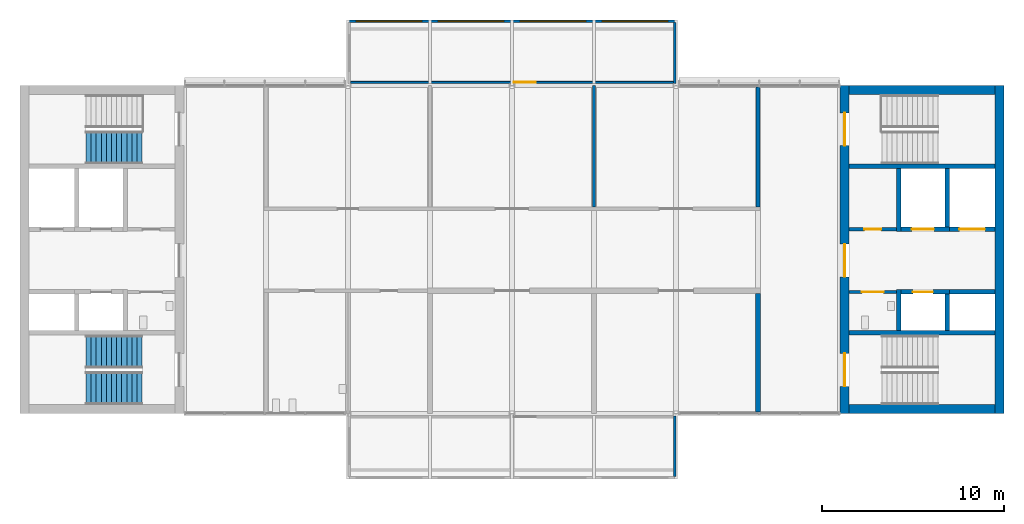
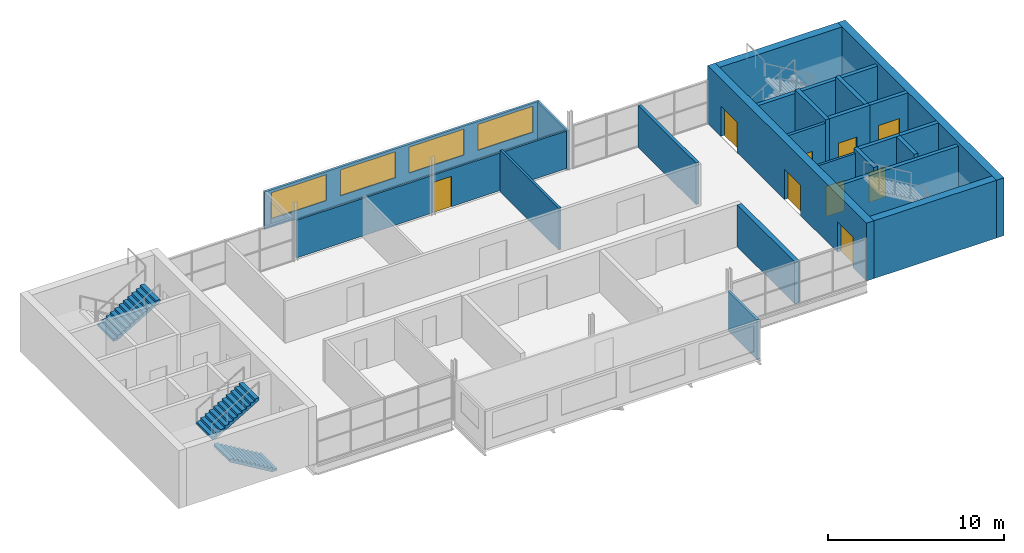
# One storey, part 6 of 10: 23 walls, 9 doors, 4 windows, 3 stair flights, 13 openings, 2 elements without a shape of their own.
"""IFC4 building model written with IfcOpenShell, lengths in metres."""

from ifc_helpers import new_model, si_unit, direction, frame, frame_2d, origin, place, context, subcontext, project, spatial, polyline, rectangle, outline, extrude, material, layer, layer_set, type_object, element, fill, aggregate, save


model = new_model("IFC4")

# Units and contexts
model_context = context("Model", 3, precision=1e-05, world=origin(), true_north=direction((0.0, 1.0)))
body_context = subcontext(model_context, "Body", "Model", "MODEL_VIEW")
ifc_project = project(units=[si_unit("LENGTHUNIT", "METRE"), si_unit("AREAUNIT", "SQUARE_METRE"), si_unit("VOLUMEUNIT", "CUBIC_METRE"), si_unit("PLANEANGLEUNIT", "RADIAN"), si_unit("MASSUNIT", "GRAM", prefix="KILO")], contexts=[model_context])

# Site, building, storey
site_placement = place(None, origin())
site = spatial("IfcSite", under=ifc_project, at=site_placement, CompositionType="ELEMENT")
building_placement = place(site_placement, origin())
building = spatial("IfcBuilding", under=site, at=building_placement, Name="Corbel Yard City Hall", CompositionType="ELEMENT")
storey_placement = place(building_placement, frame((0.0, 0.0, 67.199951171875)))
storey = spatial("IfcBuildingStorey", under=building, at=storey_placement, Name="L16", CompositionType="ELEMENT", Elevation=67.199951171875)

# Walls
ifc_material_1 = material(Name="Concrete N40 (40 MPa)", Category="concrete")
ifc_layer_1 = layer(ifc_material_1, 0.25)
ifc_layer_set_1 = layer_set([ifc_layer_1], Name="Concrete N40 (40 MPa)")
wall_type_1 = type_object("IfcWallType", Name="IW2", PredefinedType="SOLIDWALL", material=ifc_layer_set_1)
for number, where, z_axis, x_axis, name in (
    (1, (45.5, 103.425048828125, 0.0), (0.0, 0.0, 1.0), (1.0, 0.0, 0.0), "Stair enclosure wall"),
    (2, (45.5, 112.574951171875, 0.0), (0.0, 0.0, 1.0), (1.0, 0.0, 0.0), "Stair enclosure wall"),
):
    element("IfcWall", number, at=place(storey_placement, frame(where, z_axis=z_axis, x_axis=x_axis)), inside=storey, type_object=wall_type_1, Name=name, PredefinedType="SOLIDWALL", context=body_context, shape_type="SweptSolid", body=[
        extrude(rectangle(XDim=8.0, YDim=0.25, at=frame_2d((4.0, 0.0))), origin(), (0.0, 0.0, 1.0), 3.75),
    ])
wall_1_placement = place(storey_placement, frame((48.22509765625, 103.550048828125, 0.0), z_axis=(0.0, 0.0, 1.0), x_axis=(0.0, 1.0, 0.0)))
element("IfcWall", 3, at=wall_1_placement, inside=storey, type_object=wall_type_1, Name="Lift LP25 shaft wall", PredefinedType="SOLIDWALL", context=body_context, shape_type="SweptSolid", body=[
    extrude(rectangle(XDim=2.25, YDim=0.25, at=frame_2d((1.125, 0.0))), origin(), (0.0, 0.0, 1.0), 4.0),
])
wall_2_placement = place(storey_placement, frame((50.875, 103.550048828125, 0.0), z_axis=(0.0, 0.0, 1.0), x_axis=(0.0, 1.0, 0.0)))
element("IfcWall", 4, at=wall_2_placement, inside=storey, type_object=wall_type_1, Name="Lift LP25 shaft wall", PredefinedType="SOLIDWALL", context=body_context, shape_type="SweptSolid", body=[
    extrude(rectangle(XDim=2.0, YDim=0.25, at=frame_2d((1.0, 0.0))), origin(), (0.0, 0.0, 1.0), 4.0),
])

# Wall, opening, door
wall_3_placement = place(storey_placement, frame((48.35009765625, 105.675048828125, 0.0), z_axis=(0.0, 0.0, 1.0), x_axis=(1.0, 0.0, 0.0)))
wall_3 = element("IfcWall", 5, at=wall_3_placement, inside=storey, type_object=wall_type_1, Name="Lift LP25 shaft wall", PredefinedType="SOLIDWALL", context=body_context, shape_type="SweptSolid", body=[
    extrude(rectangle(XDim=2.64990234375, YDim=0.25, at=frame_2d((1.324951171875, 0.0))), origin(), (0.0, 0.0, 1.0), 4.0),
])
opening_1_placement = place(wall_3_placement, frame((0.64990234375, 0.0, 0.0)))
opening_1 = element("IfcOpeningElement", 6, at=opening_1_placement, cuts=wall_3, Name="Opening L16-006", PredefinedType="OPENING", context=body_context, shape_type="SweptSolid", body=[
    extrude(rectangle(XDim=1.10009765625, YDim=2.10009765625, at=frame_2d((0.550048828125, 1.050048828125))), frame((0.0, 0.135009765625, 0.0), z_axis=(0.0, -1.0, 0.0), x_axis=(1.0, 0.0, 0.0)), (0.0, 0.0, 1.0), 0.27001953125),
])
ifc_material_2 = material(Name="Stainless steel Grade 316", Category="steel")
door_type_1 = type_object("IfcDoorType", Name="LD1", OperationType="DOUBLE_DOOR_SLIDING", PredefinedType="DOOR", material=ifc_material_2)
door_1_placement = place(opening_1_placement, origin())
door_1 = element("IfcDoor", 7, at=door_1_placement, inside=storey, type_object=door_type_1, Name="Lift LP25 landing door", OperationType="DOUBLE_DOOR_SLIDING", OverallHeight=2.10009765625, OverallWidth=1.10009765625, PredefinedType="DOOR", context=body_context, shape_type="SweptSolid", body=[
    extrude(rectangle(XDim=1.10009765625, YDim=2.10009765625, at=frame_2d((0.550048828125, 1.050048828125))), frame((0.0, 0.02490234375, 0.0), z_axis=(0.0, -1.0, 0.0), x_axis=(1.0, 0.0, 0.0)), (0.0, 0.0, 1.0), 0.050048828125),
])
fill(opening_1, door_1)

# Walls
wall_4_placement = place(storey_placement, frame((51.0, 105.675048828125, 0.0), z_axis=(0.0, 0.0, 1.0), x_axis=(1.0, 0.0, 0.0)))
element("IfcWall", 8, at=wall_4_placement, inside=storey, type_object=wall_type_1, Name="Lift LP26 shaft wall", PredefinedType="SOLIDWALL", context=body_context, shape_type="SweptSolid", body=[
    extrude(rectangle(XDim=2.5, YDim=0.25, at=frame_2d((1.25, 0.0))), origin(), (0.0, 0.0, 1.0), 4.0),
])
wall_5_placement = place(storey_placement, frame((48.22509765625, 109.0, 0.0), z_axis=(0.0, 0.0, 1.0), x_axis=(0.0, 1.0, 0.0)))
element("IfcWall", 9, at=wall_5_placement, inside=storey, type_object=wall_type_1, Name="Lift LF2 shaft wall", PredefinedType="SOLIDWALL", context=body_context, shape_type="SweptSolid", body=[
    extrude(rectangle(XDim=3.449951171875, YDim=0.25, at=frame_2d((1.72509765625, 0.0))), origin(), (0.0, 0.0, 1.0), 4.0),
])
wall_6_placement = place(storey_placement, frame((50.875, 109.25, 0.0), z_axis=(0.0, 0.0, 1.0), x_axis=(0.0, 1.0, 0.0)))
element("IfcWall", 10, at=wall_6_placement, inside=storey, type_object=wall_type_1, Name="Lift LF2 shaft wall", PredefinedType="SOLIDWALL", context=body_context, shape_type="SweptSolid", body=[
    extrude(rectangle(XDim=3.199951171875, YDim=0.25, at=frame_2d((1.60009765625, 0.0))), origin(), (0.0, 0.0, 1.0), 4.0),
])

# Wall, opening, door
wall_7_placement = place(storey_placement, frame((48.35009765625, 109.125, 0.0), z_axis=(0.0, 0.0, 1.0), x_axis=(1.0, 0.0, 0.0)))
wall_7 = element("IfcWall", 11, at=wall_7_placement, inside=storey, type_object=wall_type_1, Name="Lift LF2 shaft wall", PredefinedType="SOLIDWALL", context=body_context, shape_type="SweptSolid", body=[
    extrude(rectangle(XDim=2.64990234375, YDim=0.25, at=frame_2d((1.324951171875, 0.0))), origin(), (0.0, 0.0, 1.0), 4.0),
])
opening_2_placement = place(wall_7_placement, frame((0.60009765625, 0.0, 0.0)))
opening_2 = element("IfcOpeningElement", 12, at=opening_2_placement, cuts=wall_7, Name="Opening L16-007", PredefinedType="OPENING", context=body_context, shape_type="SweptSolid", body=[
    extrude(rectangle(XDim=1.199951171875, YDim=2.10009765625, at=frame_2d((0.60009765625, 1.050048828125))), frame((0.0, 0.135009765625, 0.0), z_axis=(0.0, -1.0, 0.0), x_axis=(1.0, 0.0, 0.0)), (0.0, 0.0, 1.0), 0.27001953125),
])
door_type_2 = type_object("IfcDoorType", Name="LD2", OperationType="DOUBLE_DOOR_SLIDING", PredefinedType="DOOR", material=ifc_material_2)
door_2_placement = place(opening_2_placement, origin())
door_2 = element("IfcDoor", 13, at=door_2_placement, inside=storey, type_object=door_type_2, Name="Lift LF2 landing door", OperationType="DOUBLE_DOOR_SLIDING", OverallHeight=2.10009765625, OverallWidth=1.199951171875, PredefinedType="DOOR", context=body_context, shape_type="SweptSolid", body=[
    extrude(rectangle(XDim=1.199951171875, YDim=2.10009765625, at=frame_2d((0.60009765625, 1.050048828125))), frame((0.0, 0.02490234375, 0.0), z_axis=(0.0, -1.0, 0.0), x_axis=(1.0, 0.0, 0.0)), (0.0, 0.0, 1.0), 0.050048828125),
])
fill(opening_2, door_2)

wall_8_placement = place(storey_placement, frame((51.0, 109.125, 0.0), z_axis=(0.0, 0.0, 1.0), x_axis=(1.0, 0.0, 0.0)))
wall_8 = element("IfcWall", 14, at=wall_8_placement, inside=storey, type_object=wall_type_1, Name="Lift LG1 shaft wall", PredefinedType="SOLIDWALL", context=body_context, shape_type="SweptSolid", body=[
    extrude(rectangle(XDim=2.5, YDim=0.25, at=frame_2d((1.25, 0.0))), origin(), (0.0, 0.0, 1.0), 4.0),
])
opening_3_placement = place(wall_8_placement, frame((0.550048828125, 0.0, 0.0)))
opening_3 = element("IfcOpeningElement", 15, at=opening_3_placement, cuts=wall_8, Name="Opening L16-008", PredefinedType="OPENING", context=body_context, shape_type="SweptSolid", body=[
    extrude(rectangle(XDim=1.39990234375, YDim=2.39990234375, at=frame_2d((0.699951171875, 1.199951171875))), frame((0.0, 0.135009765625, 0.0), z_axis=(0.0, -1.0, 0.0), x_axis=(1.0, 0.0, 0.0)), (0.0, 0.0, 1.0), 0.27001953125),
])
door_type_3 = type_object("IfcDoorType", Name="LD3", OperationType="DOUBLE_DOOR_SLIDING", PredefinedType="DOOR", material=ifc_material_2)
door_3_placement = place(opening_3_placement, origin())
door_3 = element("IfcDoor", 16, at=door_3_placement, inside=storey, type_object=door_type_3, Name="Lift LG1 landing door", OperationType="DOUBLE_DOOR_SLIDING", OverallHeight=2.39990234375, OverallWidth=1.39990234375, PredefinedType="DOOR", context=body_context, shape_type="SweptSolid", body=[
    extrude(rectangle(XDim=1.39990234375, YDim=2.39990234375, at=frame_2d((0.699951171875, 1.199951171875))), frame((0.0, 0.02490234375, 0.0), z_axis=(0.0, -1.0, 0.0), x_axis=(1.0, 0.0, 0.0)), (0.0, 0.0, 1.0), 0.050048828125),
])
fill(opening_3, door_3)

# Wall, openings, windows
ifc_material_3 = material(Name="Anodised aluminium", Category="aluminium")
ifc_layer_2 = layer(ifc_material_3, 0.02392578125)
ifc_material_4 = material(Name="Steel Grade G550 (550 MPa yield)", Category="steel")
ifc_layer_3 = layer(ifc_material_4, 0.10009765625)
ifc_material_5 = material(Name="Gypsum plasterboard", Category="gypsum")
ifc_layer_4 = layer(ifc_material_5, 0.02587890625)
ifc_layer_set_2 = layer_set([ifc_layer_2, ifc_layer_3, ifc_layer_4], Name="Steel Grade G550 (550 MPa yield)")
wall_type_2 = type_object("IfcWallType", Name="PD1", PredefinedType="SOLIDWALL", material=ifc_layer_set_2)
wall_9_placement = place(storey_placement, frame((18.0, 120.52490234375, 0.0), z_axis=(0.0, 0.0, 1.0), x_axis=(1.0, 0.0, 0.0)))
wall_9 = element("IfcWall", 17, at=wall_9_placement, inside=storey, type_object=wall_type_2, Name="Pod outer wall L16", PredefinedType="SOLIDWALL", context=body_context, shape_type="SweptSolid", body=[
    extrude(rectangle(XDim=18.0, YDim=0.14990234375, at=frame_2d((9.0, 0.0))), origin(), (0.0, 0.0, 1.0), 2.60009765625),
])
opening_4_placement = place(wall_9_placement, frame((0.449951171875, 0.0, 0.60009765625)))
opening_4 = element("IfcOpeningElement", 18, at=opening_4_placement, cuts=wall_9, Name="Opening WN17", PredefinedType="OPENING", context=body_context, shape_type="SweptSolid", body=[
    extrude(rectangle(XDim=3.60009765625, YDim=1.800048828125, at=frame_2d((1.800048828125, 0.89990234375))), frame((0.0, 0.0849609375, 0.0), z_axis=(0.0, -1.0, 0.0), x_axis=(1.0, 0.0, 0.0)), (0.0, 0.0, 1.0), 0.169921875),
])
opening_5_placement = place(wall_9_placement, frame((4.949951171875, 0.0, 0.60009765625)))
opening_5 = element("IfcOpeningElement", 19, at=opening_5_placement, cuts=wall_9, Name="Opening WN17", PredefinedType="OPENING", context=body_context, shape_type="SweptSolid", body=[
    extrude(rectangle(XDim=3.60009765625, YDim=1.800048828125, at=frame_2d((1.800048828125, 0.89990234375))), frame((0.0, 0.0849609375, 0.0), z_axis=(0.0, -1.0, 0.0), x_axis=(1.0, 0.0, 0.0)), (0.0, 0.0, 1.0), 0.169921875),
])
opening_6_placement = place(wall_9_placement, frame((9.449951171875, 0.0, 0.60009765625)))
opening_6 = element("IfcOpeningElement", 20, at=opening_6_placement, cuts=wall_9, Name="Opening WN17", PredefinedType="OPENING", context=body_context, shape_type="SweptSolid", body=[
    extrude(rectangle(XDim=3.60009765625, YDim=1.800048828125, at=frame_2d((1.800048828125, 0.89990234375))), frame((0.0, 0.0849609375, 0.0), z_axis=(0.0, -1.0, 0.0), x_axis=(1.0, 0.0, 0.0)), (0.0, 0.0, 1.0), 0.169921875),
])
opening_7_placement = place(wall_9_placement, frame((13.949951171875, 0.0, 0.60009765625)))
opening_7 = element("IfcOpeningElement", 21, at=opening_7_placement, cuts=wall_9, Name="Opening WN17", PredefinedType="OPENING", context=body_context, shape_type="SweptSolid", body=[
    extrude(rectangle(XDim=3.60009765625, YDim=1.800048828125, at=frame_2d((1.800048828125, 0.89990234375))), frame((0.0, 0.0849609375, 0.0), z_axis=(0.0, -1.0, 0.0), x_axis=(1.0, 0.0, 0.0)), (0.0, 0.0, 1.0), 0.169921875),
])
ifc_material_6 = material(Name="Aluminium frame, double glazed low-e glass", Category="aluminium")
window_type = type_object("IfcWindowType", Name="WN17", PartitioningType="SINGLE_PANEL", PredefinedType="WINDOW", material=ifc_material_6)
window_1_placement = place(opening_4_placement, origin())
window_1 = element("IfcWindow", 22, at=window_1_placement, inside=storey, type_object=window_type, Name="Window WN17 L16", OverallHeight=1.800048828125, OverallWidth=3.60009765625, PartitioningType="SINGLE_PANEL", PredefinedType="WINDOW", context=body_context, shape_type="SweptSolid", body=[
    extrude(rectangle(XDim=3.60009765625, YDim=1.800048828125, at=frame_2d((1.800048828125, 0.89990234375))), frame((0.0, 0.030029296875, 0.0), z_axis=(0.0, -1.0, 0.0), x_axis=(1.0, 0.0, 0.0)), (0.0, 0.0, 1.0), 0.06005859375),
])
fill(opening_4, window_1)
window_2_placement = place(opening_5_placement, origin())
window_2 = element("IfcWindow", 23, at=window_2_placement, inside=storey, type_object=window_type, Name="Window WN17 L16", OverallHeight=1.800048828125, OverallWidth=3.60009765625, PartitioningType="SINGLE_PANEL", PredefinedType="WINDOW", context=body_context, shape_type="SweptSolid", body=[
    extrude(rectangle(XDim=3.60009765625, YDim=1.800048828125, at=frame_2d((1.800048828125, 0.89990234375))), frame((0.0, 0.030029296875, 0.0), z_axis=(0.0, -1.0, 0.0), x_axis=(1.0, 0.0, 0.0)), (0.0, 0.0, 1.0), 0.06005859375),
])
fill(opening_5, window_2)
window_3_placement = place(opening_6_placement, origin())
window_3 = element("IfcWindow", 24, at=window_3_placement, inside=storey, type_object=window_type, Name="Window WN17 L16", OverallHeight=1.800048828125, OverallWidth=3.60009765625, PartitioningType="SINGLE_PANEL", PredefinedType="WINDOW", context=body_context, shape_type="SweptSolid", body=[
    extrude(rectangle(XDim=3.60009765625, YDim=1.800048828125, at=frame_2d((1.800048828125, 0.89990234375))), frame((0.0, 0.030029296875, 0.0), z_axis=(0.0, -1.0, 0.0), x_axis=(1.0, 0.0, 0.0)), (0.0, 0.0, 1.0), 0.06005859375),
])
fill(opening_6, window_3)
window_4_placement = place(opening_7_placement, origin())
window_4 = element("IfcWindow", 25, at=window_4_placement, inside=storey, type_object=window_type, Name="Window WN17 L16", OverallHeight=1.800048828125, OverallWidth=3.60009765625, PartitioningType="SINGLE_PANEL", PredefinedType="WINDOW", context=body_context, shape_type="SweptSolid", body=[
    extrude(rectangle(XDim=3.60009765625, YDim=1.800048828125, at=frame_2d((1.800048828125, 0.89990234375))), frame((0.0, 0.030029296875, 0.0), z_axis=(0.0, -1.0, 0.0), x_axis=(1.0, 0.0, 0.0)), (0.0, 0.0, 1.0), 0.06005859375),
])
fill(opening_7, window_4)

# Wall, opening, door
ifc_layer_5 = layer(ifc_material_5, 0.01806640625)
ifc_layer_6 = layer(ifc_material_4, 0.06396484375)
ifc_layer_7 = layer(ifc_material_5, 0.01806640625)
ifc_layer_set_3 = layer_set([ifc_layer_5, ifc_layer_6, ifc_layer_7], Name="Steel Grade G550 (550 MPa yield)")
wall_type_3 = type_object("IfcWallType", Name="PD2", PredefinedType="PARTITIONING", material=ifc_layer_set_3)
wall_10_placement = place(storey_placement, frame((18.14990234375, 117.177978515625, 0.0), z_axis=(0.0, 0.0, 1.0), x_axis=(1.0, 0.0, 0.0)))
wall_10 = element("IfcWall", 26, at=wall_10_placement, inside=storey, type_object=wall_type_3, Name="Pod inner wall L16", PredefinedType="PARTITIONING", context=body_context, shape_type="SweptSolid", body=[
    extrude(rectangle(XDim=17.7001953125, YDim=0.10009765625, at=frame_2d((8.85009765625, 0.0))), origin(), (0.0, 0.0, 1.0), 2.60009765625),
])
opening_8_placement = place(wall_10_placement, frame((8.949951171875, 0.0, 0.0)))
opening_8 = element("IfcOpeningElement", 27, at=opening_8_placement, cuts=wall_10, Name="Opening L16-002", PredefinedType="OPENING", context=body_context, shape_type="SweptSolid", body=[
    extrude(rectangle(XDim=1.199951171875, YDim=2.10009765625, at=frame_2d((0.60009765625, 1.050048828125))), frame((0.0, 0.06005859375, 0.0), z_axis=(0.0, -1.0, 0.0), x_axis=(1.0, 0.0, 0.0)), (0.0, 0.0, 1.0), 0.1201171875),
])
ifc_material_7 = material(Name="Timber, solid core", Category="wood")
door_type_4 = type_object("IfcDoorType", Name="XD13", OperationType="DOUBLE_DOOR_SINGLE_SWING", PredefinedType="DOOR", material=ifc_material_7)
door_4_placement = place(opening_8_placement, origin())
door_4 = element("IfcDoor", 28, at=door_4_placement, inside=storey, type_object=door_type_4, Name="Pod door L16", OperationType="DOUBLE_DOOR_SINGLE_SWING", OverallHeight=2.10009765625, OverallWidth=1.199951171875, PredefinedType="DOOR", context=body_context, shape_type="SweptSolid", body=[
    extrude(rectangle(XDim=1.199951171875, YDim=2.10009765625, at=frame_2d((0.60009765625, 1.050048828125))), frame((0.0, 0.02490234375, 0.0), z_axis=(0.0, -1.0, 0.0), x_axis=(1.0, 0.0, 0.0)), (0.0, 0.0, 1.0), 0.050048828125),
])
fill(opening_8, door_4)

# Walls
ifc_layer_8 = layer(ifc_material_3, 0.02392578125)
ifc_layer_9 = layer(ifc_material_4, 0.10009765625)
ifc_layer_10 = layer(ifc_material_5, 0.02587890625)
ifc_layer_set_4 = layer_set([ifc_layer_8, ifc_layer_9, ifc_layer_10], Name="Steel Grade G550 (550 MPa yield)")
wall_type_4 = type_object("IfcWallType", Name="PD3", PredefinedType="SOLIDWALL", material=ifc_layer_set_4)
for number, where, z_axis, x_axis, name in (
    (29, (35.925048828125, 95.550048828125, -0.14990234375), (0.0, 0.0, 1.0), (0.0, 1.0, 0.0), "Pod side wall L16"),
    (30, (35.925048828125, 120.449951171875, -0.14990234375), (0.0, 0.0, 1.0), (0.0, -1.0, 0.0), "Pod side wall L16"),
):
    element("IfcWall", number, at=place(storey_placement, frame(where, z_axis=z_axis, x_axis=x_axis)), inside=storey, type_object=wall_type_4, Name=name, PredefinedType="SOLIDWALL", context=body_context, shape_type="SweptSolid", body=[
        extrude(rectangle(XDim=3.322021484375, YDim=0.14990234375, at=frame_2d((1.6611328125, 0.0))), origin(), (0.0, 0.0, 1.0), 2.75),
    ])
ifc_layer_11 = layer(ifc_material_5, 0.031982421875)
ifc_layer_12 = layer(ifc_material_4, 0.135986328125)
ifc_layer_13 = layer(ifc_material_5, 0.031982421875)
ifc_layer_set_5 = layer_set([ifc_layer_11, ifc_layer_12, ifc_layer_13], Name="Steel Grade G550 (550 MPa yield)")
wall_type_5 = type_object("IfcWallType", Name="PT2", PredefinedType="PARTITIONING", material=ifc_layer_set_5)
wall_11_placement = place(storey_placement, frame((40.5, 110.35009765625, 0.0), z_axis=(0.0, 0.0, 1.0), x_axis=(0.0, 1.0, 0.0)))
element("IfcWall", 31, at=wall_11_placement, inside=storey, type_object=wall_type_5, Name="Acoustic wall", PredefinedType="PARTITIONING", context=body_context, shape_type="SweptSolid", body=[
    extrude(rectangle(XDim=6.559814453125, YDim=0.199951171875, at=frame_2d((3.27978515625, 0.0))), origin(), (0.0, 0.0, 1.0), 2.900146484375),
])

# Wall, opening, door
ifc_layer_14 = layer(ifc_material_5, 0.031982421875)
ifc_layer_15 = layer(ifc_material_4, 0.095947265625)
ifc_layer_16 = layer(ifc_material_5, 0.031982421875)
ifc_layer_set_6 = layer_set([ifc_layer_14, ifc_layer_15, ifc_layer_16], Name="Steel Grade G550 (550 MPa yield)")
wall_type_6 = type_object("IfcWallType", Name="PT3", PredefinedType="PARTITIONING", material=ifc_layer_set_6)
wall_12_placement = place(storey_placement, frame((45.5, 105.675048828125, 0.0), z_axis=(0.0, 0.0, 1.0), x_axis=(1.0, 0.0, 0.0)))
wall_12 = element("IfcWall", 32, at=wall_12_placement, inside=storey, type_object=wall_type_6, Name="Accessible WC wall", PredefinedType="PARTITIONING", context=body_context, shape_type="SweptSolid", body=[
    extrude(rectangle(XDim=2.60009765625, YDim=0.159912109375, at=frame_2d((1.300048828125, 0.0))), origin(), (0.0, 0.0, 1.0), 3.75),
])
opening_9_placement = place(wall_12_placement, frame((0.699951171875, 0.0, 0.0)))
opening_9 = element("IfcOpeningElement", 33, at=opening_9_placement, cuts=wall_12, Name="Opening L16-024", PredefinedType="OPENING", context=body_context, shape_type="SweptSolid", body=[
    extrude(rectangle(XDim=1.199951171875, YDim=2.10009765625, at=frame_2d((0.60009765625, 1.050048828125))), frame((0.0, 0.08984375, 0.0), z_axis=(0.0, -1.0, 0.0), x_axis=(1.0, 0.0, 0.0)), (0.0, 0.0, 1.0), 0.179931640625),
])
ifc_material_8 = material(Name="Steel Grade G250", Category="steel")
door_type_5 = type_object("IfcDoorType", Name="FD7", OperationType="SINGLE_SWING_LEFT", PredefinedType="DOOR", material=ifc_material_8)
door_5_placement = place(opening_9_placement, frame((1.199951171875, 0.0, 0.0), z_axis=(0.0, 0.0, 1.0), x_axis=(-1.0, 0.0, 0.0)))
door_5 = element("IfcDoor", 34, at=door_5_placement, inside=storey, type_object=door_type_5, Name="Door accessible WC East", OperationType="SINGLE_SWING_RIGHT", OverallHeight=2.10009765625, OverallWidth=1.199951171875, PredefinedType="DOOR", context=body_context, shape_type="SweptSolid", body=[
    extrude(rectangle(XDim=1.199951171875, YDim=2.10009765625, at=frame_2d((0.60009765625, 1.050048828125))), frame((0.0, 0.02490234375, 0.0), z_axis=(0.0, -1.0, 0.0), x_axis=(1.0, 0.0, 0.0)), (0.0, 0.0, 1.0), 0.050048828125),
])
fill(opening_9, door_5)

ifc_material_9 = material(Name="Concrete block", Category="concrete")
ifc_layer_17 = layer(ifc_material_9, 0.18994140625)
ifc_layer_set_7 = layer_set([ifc_layer_17], Name="Concrete block")
wall_type_7 = type_object("IfcWallType", Name="PT4", PredefinedType="PARTITIONING", material=ifc_layer_set_7)
wall_13_placement = place(storey_placement, frame((45.5, 109.125, 0.0), z_axis=(0.0, 0.0, 1.0), x_axis=(1.0, 0.0, 0.0)))
wall_13 = element("IfcWall", 35, at=wall_13_placement, inside=storey, type_object=wall_type_7, Name="Riser wall", PredefinedType="PARTITIONING", context=body_context, shape_type="SweptSolid", body=[
    extrude(rectangle(XDim=2.60009765625, YDim=0.18994140625, at=frame_2d((1.300048828125, 0.0))), origin(), (0.0, 0.0, 1.0), 3.75),
])
opening_10_placement = place(wall_13_placement, frame((0.840087890625, 0.0, 0.0)))
opening_10 = element("IfcOpeningElement", 36, at=opening_10_placement, cuts=wall_13, Name="Opening L16-025", PredefinedType="OPENING", context=body_context, shape_type="SweptSolid", body=[
    extrude(rectangle(XDim=0.919921875, YDim=2.10009765625, at=frame_2d((0.4599609375, 1.050048828125))), frame((0.0, 0.10498046875, 0.0), z_axis=(0.0, -1.0, 0.0), x_axis=(1.0, 0.0, 0.0)), (0.0, 0.0, 1.0), 0.2099609375),
])
door_type_6 = type_object("IfcDoorType", Name="FS4", OperationType="SINGLE_SWING_LEFT", PredefinedType="DOOR", material=ifc_material_8)
door_6_placement = place(opening_10_placement, origin())
door_6 = element("IfcDoor", 37, at=door_6_placement, inside=storey, type_object=door_type_6, Name="Door riser East", OperationType="SINGLE_SWING_LEFT", OverallHeight=2.10009765625, OverallWidth=0.919921875, PredefinedType="DOOR", context=body_context, shape_type="SweptSolid", body=[
    extrude(rectangle(XDim=0.919921875, YDim=2.10009765625, at=frame_2d((0.4599609375, 1.050048828125))), frame((0.0, 0.02490234375, 0.0), z_axis=(0.0, -1.0, 0.0), x_axis=(1.0, 0.0, 0.0)), (0.0, 0.0, 1.0), 0.050048828125),
])
fill(opening_10, door_6)

# Walls
ifc_layer_18 = layer(ifc_material_5, 0.031982421875)
ifc_layer_19 = layer(ifc_material_4, 0.236083984375)
ifc_layer_20 = layer(ifc_material_5, 0.031982421875)
ifc_layer_set_8 = layer_set([ifc_layer_18, ifc_layer_19, ifc_layer_20], Name="Steel Grade G550 (550 MPa yield)")
wall_type_8 = type_object("IfcWallType", Name="PT40", PredefinedType="PARTITIONING", material=ifc_layer_set_8)
wall_14_placement = place(storey_placement, frame((40.5, 99.074951171875, 0.0), z_axis=(0.0, 0.0, 1.0), x_axis=(0.0, 1.0, 0.0)))
element("IfcWall", 38, at=wall_14_placement, inside=storey, type_object=wall_type_8, Name="Acoustic partition", PredefinedType="PARTITIONING", context=body_context, shape_type="SweptSolid", body=[
    extrude(rectangle(XDim=6.525146484375, YDim=0.300048828125, at=frame_2d((3.2626953125, 0.0))), origin(), (0.0, 0.0, 1.0), 2.900146484375),
])
ifc_layer_21 = layer(ifc_material_5, 0.031982421875)
ifc_layer_22 = layer(ifc_material_4, 0.0859375)
ifc_layer_23 = layer(ifc_material_5, 0.031982421875)
ifc_layer_set_9 = layer_set([ifc_layer_21, ifc_layer_22, ifc_layer_23], Name="Steel Grade G550 (550 MPa yield)")
wall_type_9 = type_object("IfcWallType", Name="PT7", PredefinedType="PARTITIONING", material=ifc_layer_set_9)
wall_15_placement = place(storey_placement, frame((31.5, 110.35009765625, 0.0), z_axis=(0.0, 0.0, 1.0), x_axis=(0.0, 1.0, 0.0)))
element("IfcWall", 39, at=wall_15_placement, inside=storey, type_object=wall_type_9, Name="Suite partition", PredefinedType="PARTITIONING", context=body_context, shape_type="SweptSolid", body=[
    extrude(rectangle(XDim=6.64990234375, YDim=0.14990234375, at=frame_2d((3.324951171875, 0.0))), origin(), (0.0, 0.0, 1.0), 2.900146484375),
])

# Wall, openings, doors
ifc_material_10 = material(Name="Concrete N50 (50 MPa)", Category="concrete")
ifc_layer_24 = layer(ifc_material_10, 0.5)
ifc_layer_set_10 = layer_set([ifc_layer_24], Name="Concrete N50 (50 MPa)")
wall_type_10 = type_object("IfcWallType", Name="Trunk wall 500", PredefinedType="SHEAR", material=ifc_layer_set_10)
wall_16_placement = place(storey_placement, frame((45.25, 99.0, 0.0), z_axis=(0.0, 0.0, 1.0), x_axis=(0.0, 1.0, 0.0)))
wall_16 = element("IfcWall", 40, at=wall_16_placement, inside=storey, type_object=wall_type_10, Name="Trunk E west wall", PredefinedType="SHEAR", context=body_context, shape_type="SweptSolid", body=[
    extrude(rectangle(XDim=18.0, YDim=0.5, at=frame_2d((9.0, 0.0))), origin(), (0.0, 0.0, 1.0), 4.0),
])
opening_11_placement = place(wall_16_placement, frame((1.5, 0.0, 0.0)))
opening_11 = element("IfcOpeningElement", 41, at=opening_11_placement, cuts=wall_16, Name="Opening L16-021", PredefinedType="OPENING", context=body_context, shape_type="SweptSolid", body=[
    extrude(rectangle(XDim=1.800048828125, YDim=2.10009765625, at=frame_2d((0.89990234375, 1.050048828125))), frame((0.0, 0.260009765625, 0.0), z_axis=(0.0, -1.0, 0.0), x_axis=(1.0, 0.0, 0.0)), (0.0, 0.0, 1.0), 0.52001953125),
])
opening_12_placement = place(wall_16_placement, frame((14.699951171875, 0.0, 0.0)))
opening_12 = element("IfcOpeningElement", 42, at=opening_12_placement, cuts=wall_16, Name="Opening L16-022", PredefinedType="OPENING", context=body_context, shape_type="SweptSolid", body=[
    extrude(rectangle(XDim=1.800048828125, YDim=2.10009765625, at=frame_2d((0.89990234375, 1.050048828125))), frame((0.0, 0.260009765625, 0.0), z_axis=(0.0, -1.0, 0.0), x_axis=(1.0, 0.0, 0.0)), (0.0, 0.0, 1.0), 0.52001953125),
])
opening_13_placement = place(wall_16_placement, frame((7.5, 0.0, 0.0)))
opening_13 = element("IfcOpeningElement", 43, at=opening_13_placement, cuts=wall_16, Name="Opening L16-023", PredefinedType="OPENING", context=body_context, shape_type="SweptSolid", body=[
    extrude(rectangle(XDim=1.800048828125, YDim=2.10009765625, at=frame_2d((0.89990234375, 1.050048828125))), frame((0.0, 0.260009765625, 0.0), z_axis=(0.0, -1.0, 0.0), x_axis=(1.0, 0.0, 0.0)), (0.0, 0.0, 1.0), 0.52001953125),
])
door_type_7 = type_object("IfcDoorType", Name="FS3", OperationType="DOUBLE_DOOR_SINGLE_SWING", PredefinedType="DOOR", material=ifc_material_8)
door_7_placement = place(opening_11_placement, origin())
door_7 = element("IfcDoor", 44, at=door_7_placement, inside=storey, type_object=door_type_7, Name="Door ST-E1", OperationType="DOUBLE_DOOR_SINGLE_SWING", OverallHeight=2.10009765625, OverallWidth=1.800048828125, PredefinedType="DOOR", context=body_context, shape_type="SweptSolid", body=[
    extrude(rectangle(XDim=1.800048828125, YDim=2.10009765625, at=frame_2d((0.89990234375, 1.050048828125))), frame((0.0, 0.02490234375, 0.0), z_axis=(0.0, -1.0, 0.0), x_axis=(1.0, 0.0, 0.0)), (0.0, 0.0, 1.0), 0.050048828125),
])
fill(opening_11, door_7)
door_8_placement = place(opening_12_placement, origin())
door_8 = element("IfcDoor", 45, at=door_8_placement, inside=storey, type_object=door_type_7, Name="Door ST-E2", OperationType="DOUBLE_DOOR_SINGLE_SWING", OverallHeight=2.10009765625, OverallWidth=1.800048828125, PredefinedType="DOOR", context=body_context, shape_type="SweptSolid", body=[
    extrude(rectangle(XDim=1.800048828125, YDim=2.10009765625, at=frame_2d((0.89990234375, 1.050048828125))), frame((0.0, 0.02490234375, 0.0), z_axis=(0.0, -1.0, 0.0), x_axis=(1.0, 0.0, 0.0)), (0.0, 0.0, 1.0), 0.050048828125),
])
fill(opening_12, door_8)
door_9_placement = place(opening_13_placement, origin())
door_9 = element("IfcDoor", 46, at=door_9_placement, inside=storey, type_object=door_type_7, Name="Door lift lobby East", OperationType="DOUBLE_DOOR_SINGLE_SWING", OverallHeight=2.10009765625, OverallWidth=1.800048828125, PredefinedType="DOOR", context=body_context, shape_type="SweptSolid", body=[
    extrude(rectangle(XDim=1.800048828125, YDim=2.10009765625, at=frame_2d((0.89990234375, 1.050048828125))), frame((0.0, 0.02490234375, 0.0), z_axis=(0.0, -1.0, 0.0), x_axis=(1.0, 0.0, 0.0)), (0.0, 0.0, 1.0), 0.050048828125),
])
fill(opening_13, door_9)

# Walls
wall_17_placement = place(storey_placement, frame((53.75, 99.0, 0.0), z_axis=(0.0, 0.0, 1.0), x_axis=(0.0, 1.0, 0.0)))
element("IfcWall", 47, at=wall_17_placement, inside=storey, type_object=wall_type_10, Name="Trunk E east wall", PredefinedType="SHEAR", context=body_context, shape_type="SweptSolid", body=[
    extrude(rectangle(XDim=18.0, YDim=0.5, at=frame_2d((9.0, 0.0))), origin(), (0.0, 0.0, 1.0), 4.0),
])
for number, where, z_axis, x_axis, name in (
    (48, (45.5, 99.25, 0.0), (0.0, 0.0, 1.0), (1.0, 0.0, 0.0), "Trunk E south wall"),
    (49, (45.5, 116.75, 0.0), (0.0, 0.0, 1.0), (1.0, 0.0, 0.0), "Trunk E north wall"),
):
    element("IfcWall", number, at=place(storey_placement, frame(where, z_axis=z_axis, x_axis=x_axis)), inside=storey, type_object=wall_type_10, Name=name, PredefinedType="SHEAR", context=body_context, shape_type="SweptSolid", body=[
        extrude(rectangle(XDim=8.0, YDim=0.5, at=frame_2d((4.0, 0.0))), origin(), (0.0, 0.0, 1.0), 4.0),
    ])

# Stair, stair flights
stair_type = type_object("IfcStairType", Name="ST4", PredefinedType="HALF_TURN_STAIR", material=ifc_material_1)
stair_1_placement = place(storey_placement, origin())
stair_1 = element("IfcStair", 50, at=stair_1_placement, inside=storey, type_object=stair_type, Name="Exit stair ST-W1 L16", PredefinedType="HALF_TURN_STAIR")
stair_flight_type = type_object("IfcStairFlightType", Name="FL4", PredefinedType="STRAIGHT", material=ifc_material_1)
stair_flight_1_placement = place(storey_placement, frame((6.699951171875, 100.39990234375, 0.0), z_axis=(0.0, 0.0, 1.0), x_axis=(-1.0, 0.0, 0.0)))
stair_flight_1 = element("IfcStairFlight", 51, at=stair_flight_1_placement, type_object=stair_flight_type, Name="ST-W1 flight 1", NumberOfRisers=12, NumberOfTreads=11, PredefinedType="STRAIGHT", RiserHeight=0.166667, TreadLength=0.28, context=body_context, shape_type="SweptSolid", body=[
    extrude(outline(polyline([(0.0, 0.0), (0.0, 0.166748046875), (0.280029296875, 0.166748046875), (0.280029296875, 0.333251953125), (0.56005859375, 0.333251953125), (0.56005859375, 0.5), (0.840087890625, 0.5), (0.840087890625, 0.666748046875), (1.1201171875, 0.666748046875), (1.1201171875, 0.833251953125), (1.39990234375, 0.833251953125), (1.39990234375, 1.0), (1.679931640625, 1.0), (1.679931640625, 1.166748046875), (1.9599609375, 1.166748046875), (1.9599609375, 1.333251953125), (2.239990234375, 1.333251953125), (2.239990234375, 1.5), (2.52001953125, 1.5), (2.52001953125, 1.666748046875), (2.800048828125, 1.666748046875), (2.800048828125, 1.833251953125), (3.080078125, 1.833251953125), (3.080078125, 2.0), (3.080078125, 1.658935546875), (0.29296875, 0.0), (0.0, 0.0)])), frame((0.0, 0.89990234375, 0.0), z_axis=(0.0, -1.0, 0.0), x_axis=(1.0, 0.0, 0.0)), (0.0, 0.0, 1.0), 1.800048828125),
])
stair_flight_2_placement = place(storey_placement, frame((3.6201171875, 102.39990234375, 2.0), z_axis=(0.0, 0.0, 1.0), x_axis=(1.0, 0.0, 0.0)))
stair_flight_2 = element("IfcStairFlight", 52, at=stair_flight_2_placement, type_object=stair_flight_type, Name="ST-W1 flight 2", NumberOfRisers=12, NumberOfTreads=11, PredefinedType="STRAIGHT", RiserHeight=0.166667, TreadLength=0.28, context=body_context, shape_type="SweptSolid", body=[
    extrude(outline(polyline([(0.0, 0.0), (0.0, 0.166748046875), (0.280029296875, 0.166748046875), (0.280029296875, 0.333251953125), (0.56005859375, 0.333251953125), (0.56005859375, 0.5), (0.840087890625, 0.5), (0.840087890625, 0.666748046875), (1.1201171875, 0.666748046875), (1.1201171875, 0.833251953125), (1.39990234375, 0.833251953125), (1.39990234375, 1.0), (1.679931640625, 1.0), (1.679931640625, 1.166748046875), (1.9599609375, 1.166748046875), (1.9599609375, 1.333251953125), (2.239990234375, 1.333251953125), (2.239990234375, 1.5), (2.52001953125, 1.5), (2.52001953125, 1.666748046875), (2.800048828125, 1.666748046875), (2.800048828125, 1.833251953125), (3.080078125, 1.833251953125), (3.080078125, 2.0), (3.080078125, 1.658935546875), (0.29296875, 0.0), (0.0, 0.0)])), frame((0.0, 0.89990234375, 0.0), z_axis=(0.0, -1.0, 0.0), x_axis=(1.0, 0.0, 0.0)), (0.0, 0.0, 1.0), 1.800048828125),
])
aggregate(stair_1, [stair_flight_1, stair_flight_2])

# Stair, stair flight
stair_2_placement = place(storey_placement, origin())
stair_2 = element("IfcStair", 53, at=stair_2_placement, inside=storey, type_object=stair_type, Name="Exit stair ST-W2 L16", PredefinedType="HALF_TURN_STAIR")
stair_flight_3_placement = place(storey_placement, frame((3.6201171875, 113.60009765625, 2.0), z_axis=(0.0, 0.0, 1.0), x_axis=(1.0, 0.0, 0.0)))
stair_flight_3 = element("IfcStairFlight", 54, at=stair_flight_3_placement, type_object=stair_flight_type, Name="ST-W2 flight 2", NumberOfRisers=12, NumberOfTreads=11, PredefinedType="STRAIGHT", RiserHeight=0.166667, TreadLength=0.28, context=body_context, shape_type="SweptSolid", body=[
    extrude(outline(polyline([(0.0, 0.0), (0.0, 0.166748046875), (0.280029296875, 0.166748046875), (0.280029296875, 0.333251953125), (0.56005859375, 0.333251953125), (0.56005859375, 0.5), (0.840087890625, 0.5), (0.840087890625, 0.666748046875), (1.1201171875, 0.666748046875), (1.1201171875, 0.833251953125), (1.39990234375, 0.833251953125), (1.39990234375, 1.0), (1.679931640625, 1.0), (1.679931640625, 1.166748046875), (1.9599609375, 1.166748046875), (1.9599609375, 1.333251953125), (2.239990234375, 1.333251953125), (2.239990234375, 1.5), (2.52001953125, 1.5), (2.52001953125, 1.666748046875), (2.800048828125, 1.666748046875), (2.800048828125, 1.833251953125), (3.080078125, 1.833251953125), (3.080078125, 2.0), (3.080078125, 1.658935546875), (0.29296875, 0.0), (0.0, 0.0)])), frame((0.0, 0.89990234375, 0.0), z_axis=(0.0, -1.0, 0.0), x_axis=(1.0, 0.0, 0.0)), (0.0, 0.0, 1.0), 1.800048828125),
])
aggregate(stair_2, [stair_flight_3])

save(model, "model.ifc")
